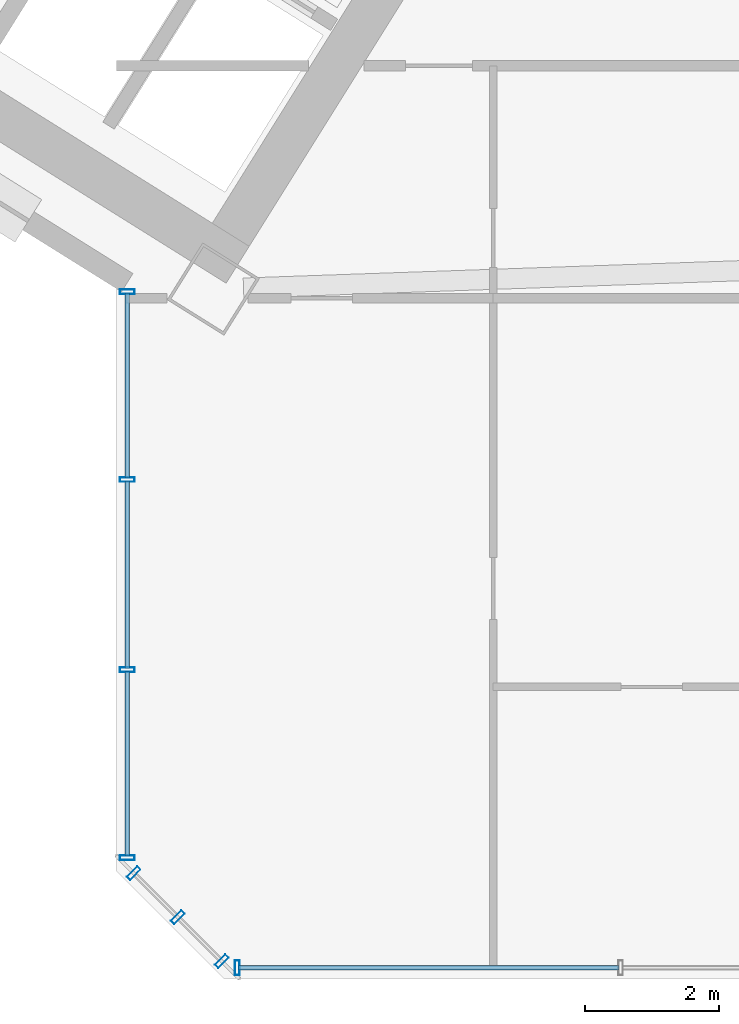
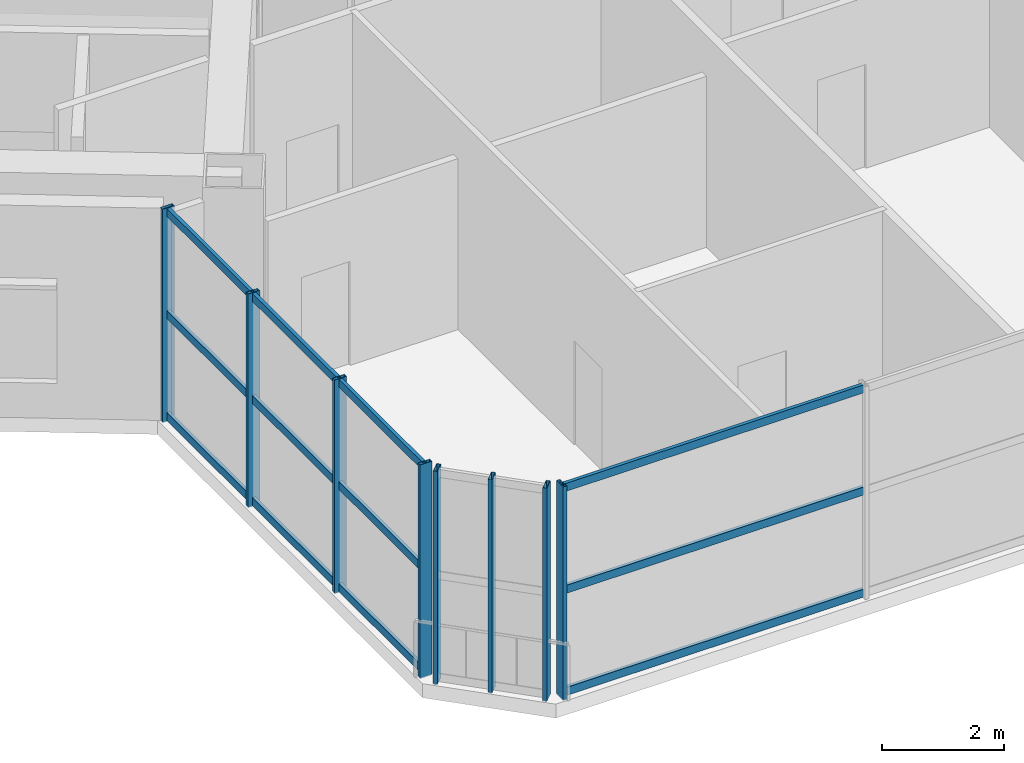
# One storey, part 4 of 19: 20 members, 3 elements without a shape of their own.
"""IFC4 building model written with IfcOpenShell, lengths in metres."""

from ifc_helpers import new_model, si_unit, direction, frame, origin, origin_2d, place, context, subcontext, project, spatial, hollow_rectangle, extrude, source, transform, mapped, material, material_profile, profile_set, type_object, element, aggregate, save


model = new_model("IFC4")

# Units and contexts
model_context = context("Model", 3, precision=1e-05, world=origin(), true_north=direction((0.0, 1.0)))
body_context = subcontext(model_context, "Body", "Model", "MODEL_VIEW")
ifc_project = project(units=[si_unit("LENGTHUNIT", "METRE"), si_unit("AREAUNIT", "SQUARE_METRE"), si_unit("VOLUMEUNIT", "CUBIC_METRE"), si_unit("PLANEANGLEUNIT", "RADIAN"), si_unit("MASSUNIT", "GRAM", prefix="KILO")], contexts=[model_context])

# Site, building, storey
site_placement = place(None, origin())
site = spatial("IfcSite", under=ifc_project, at=site_placement, CompositionType="ELEMENT")
building_placement = place(site_placement, origin())
building = spatial("IfcBuilding", under=site, at=building_placement, Name="Tlacorven Tower", CompositionType="ELEMENT")
storey_placement = place(building_placement, frame((0.0, 0.0, 76.5)))
storey = spatial("IfcBuildingStorey", under=building, at=storey_placement, Name="L19", CompositionType="ELEMENT", Elevation=76.5)

# Curtain wall, member
ifc_material_1 = material(Name="Dark solar low-E double glazing in aluminium frame", Category="aluminium")
curtain_wall_type = type_object("IfcCurtainWallType", Name="CW-COM-AMENITY", PredefinedType="USERDEFINED", material=ifc_material_1)
curtain_wall_1_placement = place(storey_placement, origin())
curtain_wall_1 = element("IfcCurtainWall", 1, at=curtain_wall_1_placement, inside=storey, type_object=curtain_wall_type, Name="L19 CW-COM-AMENITY Curtain Wall 104", ObjectType="UNITISED CURTAIN WALL", PredefinedType="USERDEFINED")
ifc_material_2 = material(Name="Aluminium 6063-T6 anodised", Category="aluminium")
ifc_material_profile_1 = material_profile(ifc_material_2, hollow_rectangle(XDim=0.070068359375, YDim=0.219970703125, WallThickness=0.0048828125, at=origin_2d()), Name="ALU MULLION 70X220")
ifc_profile_set_1 = profile_set([ifc_material_profile_1], Name="Aluminium 6063-T6 anodised")
member_type_1 = type_object("IfcMemberType", Name="CWM-01", PredefinedType="MULLION", material=ifc_profile_set_1)
shared_shape_1 = source(origin(), body_context, "Body", "SweptSolid", [
    extrude(hollow_rectangle(XDim=0.070068359375, YDim=0.219970703125, WallThickness=0.0048828125, at=origin_2d()), origin(), (0.0, 0.0, 1.0), 4.280029296875),
])
member_1_placement = place(storey_placement, frame((33.4013671875, 1.9599609375, -0.02001953125), z_axis=(0.0, 0.0, 1.0), x_axis=(-1.0, 0.0, 0.0)))
member_1 = element("IfcMember", 2, at=member_1_placement, type_object=member_type_1, Name="CW-L19-104 Mullion 4", PredefinedType="MULLION", context=body_context, shape_type="MappedRepresentation", body=[
    mapped(shared_shape_1, transform((0.0, 0.0, 0.0), scale=1.0)),
])

# Curtain wall, members
curtain_wall_2_placement = place(storey_placement, origin())
curtain_wall_2 = element("IfcCurtainWall", 3, at=curtain_wall_2_placement, inside=storey, type_object=curtain_wall_type, Name="L19 CW-COM-AMENITY Curtain Wall 105", ObjectType="UNITISED CURTAIN WALL", PredefinedType="USERDEFINED")
member_2_placement = place(storey_placement, frame((33.1708984375, 2.055419921875, -0.02001953125), z_axis=(0.0, 0.0, 1.0), x_axis=(-0.707106781187, 0.707106781187, 0.0)))
member_2 = element("IfcMember", 4, at=member_2_placement, type_object=member_type_1, Name="CW-L19-105 Mullion 1", PredefinedType="MULLION", context=body_context, shape_type="MappedRepresentation", body=[
    mapped(shared_shape_1, transform((0.0, 0.0, 0.0), scale=1.0)),
])
member_3_placement = place(storey_placement, frame((32.51318359375, 2.713134765625, -0.02001953125), z_axis=(0.0, 0.0, 1.0), x_axis=(-0.707106781187, 0.707106781187, 0.0)))
member_3 = element("IfcMember", 5, at=member_3_placement, type_object=member_type_1, Name="CW-L19-105 Mullion 2", PredefinedType="MULLION", context=body_context, shape_type="MappedRepresentation", body=[
    mapped(shared_shape_1, transform((0.0, 0.0, 0.0), scale=1.0)),
])
member_4_placement = place(storey_placement, frame((31.85546875, 3.370849609375, -0.02001953125), z_axis=(0.0, 0.0, 1.0), x_axis=(-0.707106781187, 0.707106781187, 0.0)))
member_4 = element("IfcMember", 6, at=member_4_placement, type_object=member_type_1, Name="CW-L19-105 Mullion 3", PredefinedType="MULLION", context=body_context, shape_type="MappedRepresentation", body=[
    mapped(shared_shape_1, transform((0.0, 0.0, 0.0), scale=1.0)),
])
aggregate(curtain_wall_2, [member_2, member_3, member_4])

curtain_wall_3_placement = place(storey_placement, origin())
curtain_wall_3 = element("IfcCurtainWall", 7, at=curtain_wall_3_placement, inside=storey, type_object=curtain_wall_type, Name="L19 CW-COM-AMENITY Curtain Wall 106", ObjectType="UNITISED CURTAIN WALL", PredefinedType="USERDEFINED")
member_5_placement = place(storey_placement, frame((31.760009765625, 3.601318359375, -0.02001953125), z_axis=(0.0, 0.0, 1.0), x_axis=(0.0, 1.0, 0.0)))
member_5 = element("IfcMember", 8, at=member_5_placement, type_object=member_type_1, Name="CW-L19-106 Mullion 1", PredefinedType="MULLION", context=body_context, shape_type="MappedRepresentation", body=[
    mapped(shared_shape_1, transform((0.0, 0.0, 0.0), scale=1.0)),
])
member_6_placement = place(storey_placement, frame((31.760009765625, 6.4052734375, -0.02001953125), z_axis=(0.0, 0.0, 1.0), x_axis=(0.0, 1.0, 0.0)))
member_6 = element("IfcMember", 9, at=member_6_placement, type_object=member_type_1, Name="CW-L19-106 Mullion 2", PredefinedType="MULLION", context=body_context, shape_type="MappedRepresentation", body=[
    mapped(shared_shape_1, transform((0.0, 0.0, 0.0), scale=1.0)),
])
member_7_placement = place(storey_placement, frame((31.760009765625, 9.244140625, -0.02001953125), z_axis=(0.0, 0.0, 1.0), x_axis=(0.0, 1.0, 0.0)))
member_7 = element("IfcMember", 10, at=member_7_placement, type_object=member_type_1, Name="CW-L19-106 Mullion 3", PredefinedType="MULLION", context=body_context, shape_type="MappedRepresentation", body=[
    mapped(shared_shape_1, transform((0.0, 0.0, 0.0), scale=1.0)),
])
member_8_placement = place(storey_placement, frame((31.760009765625, 12.048095703125, -0.02001953125), z_axis=(0.0, 0.0, 1.0), x_axis=(0.0, 1.0, 0.0)))
member_8 = element("IfcMember", 11, at=member_8_placement, type_object=member_type_1, Name="CW-L19-106 Mullion 4", PredefinedType="MULLION", context=body_context, shape_type="MappedRepresentation", body=[
    mapped(shared_shape_1, transform((0.0, 0.0, 0.0), scale=1.0)),
])

# Member
ifc_material_profile_2 = material_profile(ifc_material_2, hollow_rectangle(XDim=0.06494140625, YDim=0.159912109375, WallThickness=0.00390625, at=origin_2d()), Name="ALU TRANSOM 65X160")
ifc_profile_set_2 = profile_set([ifc_material_profile_2], Name="Aluminium 6063-T6 anodised")
member_type_2 = type_object("IfcMemberType", Name="CWT-01", PredefinedType="USERDEFINED", material=ifc_profile_set_2)
shared_shape_2 = source(origin(), body_context, "Body", "SweptSolid", [
    extrude(hollow_rectangle(XDim=0.06494140625, YDim=0.159912109375, WallThickness=0.00390625, at=origin_2d()), origin(), (0.0, 0.0, 1.0), 5.6748046875),
])
member_9_placement = place(storey_placement, frame((39.09912109375, 1.9599609375, 0.080078125), z_axis=(-1.0, 0.0, 0.0), x_axis=(0.0, -1.0, 0.0)))
member_9 = element("IfcMember", 12, at=member_9_placement, type_object=member_type_2, Name="CW-L19-104 Transom 7", ObjectType="TRANSOM", PredefinedType="USERDEFINED", context=body_context, shape_type="MappedRepresentation", body=[
    mapped(shared_shape_2, transform((0.0, 0.0, 0.0), scale=1.0)),
])

member_10_placement = place(storey_placement, frame((39.09912109375, 1.9599609375, 2.125), z_axis=(-1.0, 0.0, 0.0), x_axis=(0.0, -1.0, 0.0)))
member_10 = element("IfcMember", 13, at=member_10_placement, type_object=member_type_2, Name="CW-L19-104 Transom 8", ObjectType="TRANSOM", PredefinedType="USERDEFINED", context=body_context, shape_type="MappedRepresentation", body=[
    mapped(shared_shape_2, transform((0.0, 0.0, 0.0), scale=1.0)),
])

member_11_placement = place(storey_placement, frame((39.09912109375, 1.9599609375, 4.169921875), z_axis=(-1.0, 0.0, 0.0), x_axis=(0.0, -1.0, 0.0)))
member_11 = element("IfcMember", 14, at=member_11_placement, type_object=member_type_2, Name="CW-L19-104 Transom 9", ObjectType="TRANSOM", PredefinedType="USERDEFINED", context=body_context, shape_type="MappedRepresentation", body=[
    mapped(shared_shape_2, transform((0.0, 0.0, 0.0), scale=1.0)),
])

aggregate(curtain_wall_1, [member_1, member_9, member_10, member_11])

shared_shape_3 = source(origin(), body_context, "Body", "SweptSolid", [
    extrude(hollow_rectangle(XDim=0.06494140625, YDim=0.159912109375, WallThickness=0.00390625, at=origin_2d()), origin(), (0.0, 0.0, 1.0), 2.7578125),
])
member_12_placement = place(storey_placement, frame((31.760009765625, 3.624267578125, 0.080078125), z_axis=(0.0, 1.0, 0.0), x_axis=(-1.0, 0.0, 0.0)))
member_12 = element("IfcMember", 15, at=member_12_placement, type_object=member_type_2, Name="CW-L19-106 Transom 1", ObjectType="TRANSOM", PredefinedType="USERDEFINED", context=body_context, shape_type="MappedRepresentation", body=[
    mapped(shared_shape_3, transform((0.0, 0.0, 0.0), scale=1.0)),
])

member_13_placement = place(storey_placement, frame((31.760009765625, 3.624267578125, 2.125), z_axis=(0.0, 1.0, 0.0), x_axis=(-1.0, 0.0, 0.0)))
member_13 = element("IfcMember", 16, at=member_13_placement, type_object=member_type_2, Name="CW-L19-106 Transom 2", ObjectType="TRANSOM", PredefinedType="USERDEFINED", context=body_context, shape_type="MappedRepresentation", body=[
    mapped(shared_shape_3, transform((0.0, 0.0, 0.0), scale=1.0)),
])

member_14_placement = place(storey_placement, frame((31.760009765625, 3.624267578125, 4.169921875), z_axis=(0.0, 1.0, 0.0), x_axis=(-1.0, 0.0, 0.0)))
member_14 = element("IfcMember", 17, at=member_14_placement, type_object=member_type_2, Name="CW-L19-106 Transom 3", ObjectType="TRANSOM", PredefinedType="USERDEFINED", context=body_context, shape_type="MappedRepresentation", body=[
    mapped(shared_shape_3, transform((0.0, 0.0, 0.0), scale=1.0)),
])

shared_shape_4 = source(origin(), body_context, "Body", "SweptSolid", [
    extrude(hollow_rectangle(XDim=0.06494140625, YDim=0.159912109375, WallThickness=0.00390625, at=origin_2d()), origin(), (0.0, 0.0, 1.0), 2.79296875),
])
member_15_placement = place(storey_placement, frame((31.760009765625, 6.42822265625, 0.080078125), z_axis=(0.0, 1.0, 0.0), x_axis=(-1.0, 0.0, 0.0)))
member_15 = element("IfcMember", 18, at=member_15_placement, type_object=member_type_2, Name="CW-L19-106 Transom 4", ObjectType="TRANSOM", PredefinedType="USERDEFINED", context=body_context, shape_type="MappedRepresentation", body=[
    mapped(shared_shape_4, transform((0.0, 0.0, 0.0), scale=1.0)),
])

member_16_placement = place(storey_placement, frame((31.760009765625, 6.42822265625, 2.125), z_axis=(0.0, 1.0, 0.0), x_axis=(-1.0, 0.0, 0.0)))
member_16 = element("IfcMember", 19, at=member_16_placement, type_object=member_type_2, Name="CW-L19-106 Transom 5", ObjectType="TRANSOM", PredefinedType="USERDEFINED", context=body_context, shape_type="MappedRepresentation", body=[
    mapped(shared_shape_4, transform((0.0, 0.0, 0.0), scale=1.0)),
])

member_17_placement = place(storey_placement, frame((31.760009765625, 6.42822265625, 4.169921875), z_axis=(0.0, 1.0, 0.0), x_axis=(-1.0, 0.0, 0.0)))
member_17 = element("IfcMember", 20, at=member_17_placement, type_object=member_type_2, Name="CW-L19-106 Transom 6", ObjectType="TRANSOM", PredefinedType="USERDEFINED", context=body_context, shape_type="MappedRepresentation", body=[
    mapped(shared_shape_4, transform((0.0, 0.0, 0.0), scale=1.0)),
])

shared_shape_5 = source(origin(), body_context, "Body", "SweptSolid", [
    extrude(hollow_rectangle(XDim=0.06494140625, YDim=0.159912109375, WallThickness=0.00390625, at=origin_2d()), origin(), (0.0, 0.0, 1.0), 2.758056640625),
])
member_18_placement = place(storey_placement, frame((31.760009765625, 9.26708984375, 0.080078125), z_axis=(0.0, 1.0, 0.0), x_axis=(-1.0, 0.0, 0.0)))
member_18 = element("IfcMember", 21, at=member_18_placement, type_object=member_type_2, Name="CW-L19-106 Transom 7", ObjectType="TRANSOM", PredefinedType="USERDEFINED", context=body_context, shape_type="MappedRepresentation", body=[
    mapped(shared_shape_5, transform((0.0, 0.0, 0.0), scale=1.0)),
])

member_19_placement = place(storey_placement, frame((31.760009765625, 9.26708984375, 2.125), z_axis=(0.0, 1.0, 0.0), x_axis=(-1.0, 0.0, 0.0)))
member_19 = element("IfcMember", 22, at=member_19_placement, type_object=member_type_2, Name="CW-L19-106 Transom 8", ObjectType="TRANSOM", PredefinedType="USERDEFINED", context=body_context, shape_type="MappedRepresentation", body=[
    mapped(shared_shape_5, transform((0.0, 0.0, 0.0), scale=1.0)),
])

member_20_placement = place(storey_placement, frame((31.760009765625, 9.26708984375, 4.169921875), z_axis=(0.0, 1.0, 0.0), x_axis=(-1.0, 0.0, 0.0)))
member_20 = element("IfcMember", 23, at=member_20_placement, type_object=member_type_2, Name="CW-L19-106 Transom 9", ObjectType="TRANSOM", PredefinedType="USERDEFINED", context=body_context, shape_type="MappedRepresentation", body=[
    mapped(shared_shape_5, transform((0.0, 0.0, 0.0), scale=1.0)),
])

aggregate(curtain_wall_3, [member_5, member_6, member_7, member_8, member_12, member_13, member_14, member_15, member_16, member_17, member_18, member_19, member_20])

save(model, "model.ifc")
